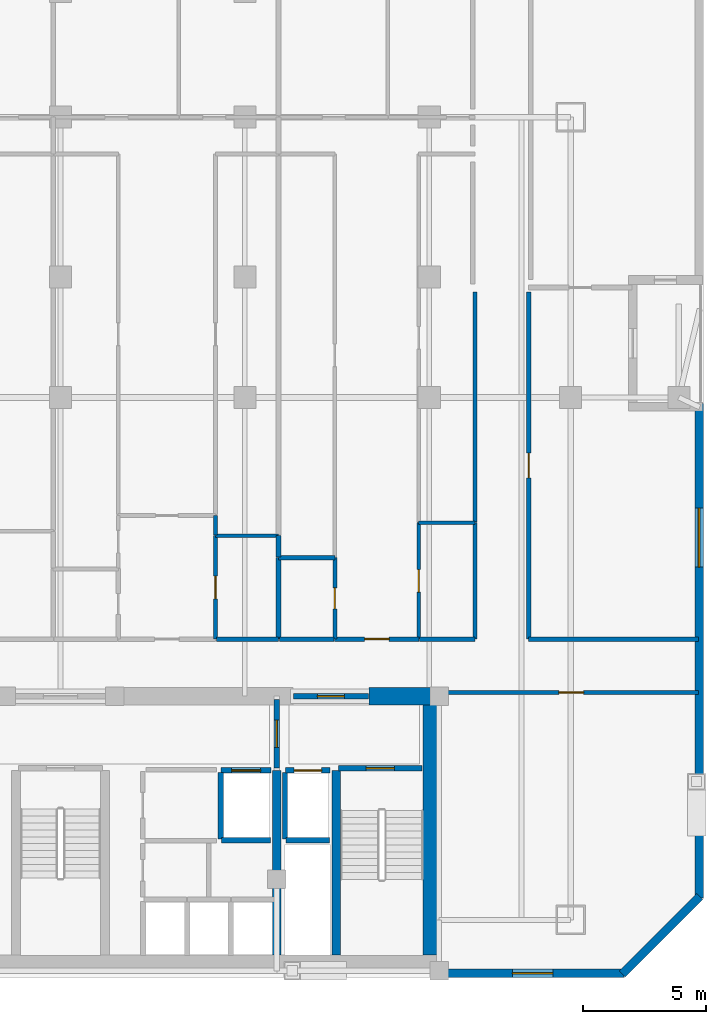
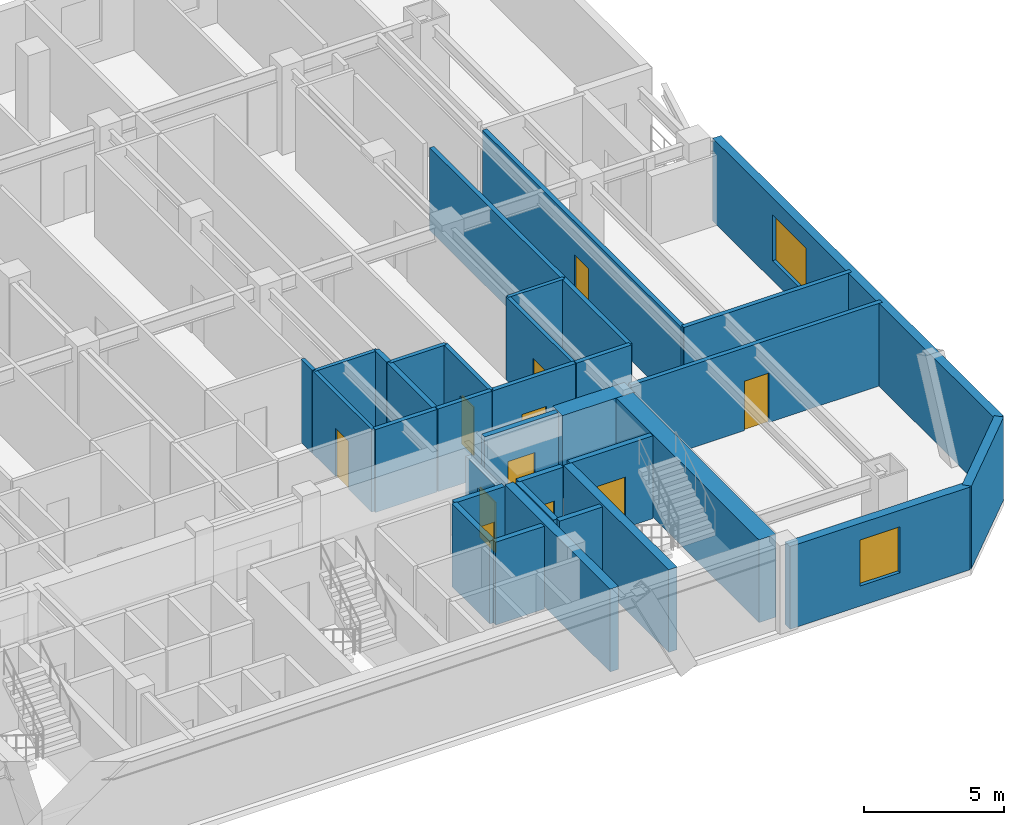
# One storey, part 5 of 9: 34 walls, 11 doors, 2 windows, 13 openings.
"""IFC4 building model written with IfcOpenShell, lengths in metres."""

from ifc_helpers import new_model, si_unit, direction, frame, frame_2d, origin, place, context, subcontext, project, spatial, rectangle, extrude, material, layer, layer_set, type_object, element, fill, save


model = new_model("IFC4")

# Units and contexts
model_context = context("Model", 3, precision=1e-05, world=origin(), true_north=direction((0.0, 1.0)))
body_context = subcontext(model_context, "Body", "Model", "MODEL_VIEW")
ifc_project = project(units=[si_unit("LENGTHUNIT", "METRE"), si_unit("AREAUNIT", "SQUARE_METRE"), si_unit("VOLUMEUNIT", "CUBIC_METRE"), si_unit("PLANEANGLEUNIT", "RADIAN"), si_unit("MASSUNIT", "GRAM", prefix="KILO")], contexts=[model_context])

# Site, building, storey
site_placement = place(None, origin())
site = spatial("IfcSite", under=ifc_project, at=site_placement, CompositionType="ELEMENT")
building_placement = place(site_placement, origin())
building = spatial("IfcBuilding", under=site, at=building_placement, Name="Ventersveld Concourse Tower", CompositionType="ELEMENT")
storey_placement = place(building_placement, frame((0.0, 0.0, 100.300048828125)))
storey = spatial("IfcBuildingStorey", under=building, at=storey_placement, Name="L24", CompositionType="ELEMENT", Elevation=100.300048828125)

# Walls
ifc_material_1 = material(Name="Concrete C60/75", Category="concrete")
ifc_layer_1 = layer(ifc_material_1, 0.35009765625)
ifc_layer_set_1 = layer_set([ifc_layer_1], Name="Concrete C60/75")
wall_type_1 = type_object("IfcWallType", Name="WL-CORE-350L", PredefinedType="SHEAR", material=ifc_layer_set_1)
for number, where, z_axis, x_axis, name in (
    (1, (37.550048828125, 0.919921875, 0.0), (0.0, 0.0, 1.0), (0.0, 1.0, 0.0), "L24 Core Internal Shear Web W-SVL-W"),
    (2, (39.9599609375, 0.919921875, 0.0), (0.0, 0.0, 1.0), (0.0, 1.0, 0.0), "L24 Core Internal Shear Web W-ST2-W"),
):
    element("IfcWall", number, at=place(storey_placement, frame(where, z_axis=z_axis, x_axis=x_axis)), inside=storey, type_object=wall_type_1, Name=name, PredefinedType="SHEAR", context=body_context, shape_type="SweptSolid", body=[
        extrude(rectangle(XDim=7.5, YDim=0.35009765625, at=frame_2d((3.75, 0.0))), origin(), (0.0, 0.0, 1.0), 3.599853515625),
    ])
ifc_layer_2 = layer(ifc_material_1, 0.699951171875)
ifc_layer_set_2 = layer_set([ifc_layer_2], Name="Concrete C60/75")
wall_type_2 = type_object("IfcWallType", Name="WL-CORE-700", PredefinedType="SHEAR", material=ifc_layer_set_2)
wall_1_placement = place(storey_placement, frame((43.85009765625, 0.919921875, 0.0), z_axis=(0.0, 0.0, 1.0), x_axis=(0.0, 1.0, 0.0)))
element("IfcWall", 3, at=wall_1_placement, inside=storey, type_object=wall_type_2, Name="L24 Rear Core East Shear Wall", PredefinedType="SHEAR", context=body_context, shape_type="SweptSolid", body=[
    extrude(rectangle(XDim=10.530029296875, YDim=0.699951171875, at=frame_2d((5.26513671875, 0.0))), origin(), (0.0, 0.0, 1.0), 3.599853515625),
])
wall_2_placement = place(storey_placement, frame((41.300048828125, 11.449951171875, 0.0), z_axis=(0.0, 0.0, 1.0), x_axis=(1.0, 0.0, 0.0)))
element("IfcWall", 4, at=wall_2_placement, inside=storey, type_object=wall_type_2, Name="L24 Rear Core North Shear Wall NE", PredefinedType="SHEAR", context=body_context, shape_type="SweptSolid", body=[
    extrude(rectangle(XDim=2.949951171875, YDim=0.699951171875, at=frame_2d((1.47509765625, 0.0))), origin(), (0.0, 0.0, 1.0), 3.599853515625),
])

# Wall, opening, door
ifc_material_2 = material(Name="Fire-rated autoclaved aerated masonry blockwork", Category="masonry")
ifc_layer_3 = layer(ifc_material_2, 0.179931640625)
ifc_layer_set_3 = layer_set([ifc_layer_3], Name="Fire-rated autoclaved aerated masonry blockwork")
wall_type_3 = type_object("IfcWallType", Name="WL-CORR-180", PredefinedType="PARTITIONING", material=ifc_layer_set_3)
wall_3_placement = place(storey_placement, frame((44.35498046875, 11.60009765625, 0.0), z_axis=(0.0, 0.0, 1.0), x_axis=(1.0, 0.0, 0.0)))
wall_3 = element("IfcWall", 5, at=wall_3_placement, inside=storey, type_object=wall_type_3, Name="L24 Interior Partition SP-L24-SE-OFF-SP-L24-COR", PredefinedType="PARTITIONING", context=body_context, shape_type="SweptSolid", body=[
    extrude(rectangle(XDim=10.3349609375, YDim=0.179931640625, at=frame_2d((5.16748046875, 0.0))), origin(), (0.0, 0.0, 1.0), 3.599853515625),
])
opening_1_placement = place(wall_3_placement, frame((4.66748046875, 0.0, 0.0)))
opening_1 = element("IfcOpeningElement", 6, at=opening_1_placement, cuts=wall_3, Name="Opening FD3", PredefinedType="OPENING", context=body_context, shape_type="SweptSolid", body=[
    extrude(rectangle(XDim=1.0, YDim=2.14990234375, at=frame_2d((0.5, 1.074951171875))), frame((0.0, 0.10009765625, 0.0), z_axis=(0.0, -1.0, 0.0), x_axis=(1.0, 0.0, 0.0)), (0.0, 0.0, 1.0), 0.199951171875),
])
ifc_material_3 = material(Name="Solid-core hardwood veneer timber", Category="wood")
door_type_1 = type_object("IfcDoorType", Name="DR-FLAT-100", OperationType="NOTDEFINED", PredefinedType="DOOR", material=ifc_material_3)
door_1_placement = place(opening_1_placement, origin())
door_1 = element("IfcDoor", 7, at=door_1_placement, inside=storey, type_object=door_type_1, Name="L24 Interior Door SP-L24-SE-OFF to SP-L24-COR (D-L24-1173)", OperationType="SINGLE_SWING_LEFT", OverallHeight=2.14990234375, OverallWidth=1.0, PredefinedType="DOOR", context=body_context, shape_type="SweptSolid", body=[
    extrude(rectangle(XDim=1.0, YDim=2.14990234375, at=frame_2d((0.5, 1.074951171875))), frame((0.0, 0.02490234375, 0.0), z_axis=(0.0, -1.0, 0.0), x_axis=(1.0, 0.0, 0.0)), (0.0, 0.0, 1.0), 0.050048828125),
])
fill(opening_1, door_1)

wall_4_placement = place(storey_placement, frame((47.7900390625, 13.764892578125, 0.0), z_axis=(0.0, 0.0, 1.0), x_axis=(0.0, 1.0, 0.0)))
wall_4 = element("IfcWall", 8, at=wall_4_placement, inside=storey, type_object=wall_type_3, Name="L24 Interior Partition SP-L24-COR-SP-L24-NELNG1", PredefinedType="PARTITIONING", context=body_context, shape_type="SweptSolid", body=[
    extrude(rectangle(XDim=14.130126953125, YDim=0.179931640625, at=frame_2d((7.06494140625, 0.0))), origin(), (0.0, 0.0, 1.0), 3.599853515625),
])
opening_2_placement = place(wall_4_placement, frame((6.56494140625, 0.0, 0.0)))
opening_2 = element("IfcOpeningElement", 9, at=opening_2_placement, cuts=wall_4, Name="Opening FD3", PredefinedType="OPENING", context=body_context, shape_type="SweptSolid", body=[
    extrude(rectangle(XDim=1.0, YDim=2.14990234375, at=frame_2d((0.5, 1.074951171875))), frame((0.0, 0.10009765625, 0.0), z_axis=(0.0, -1.0, 0.0), x_axis=(1.0, 0.0, 0.0)), (0.0, 0.0, 1.0), 0.199951171875),
])
door_2_placement = place(opening_2_placement, origin())
door_2 = element("IfcDoor", 10, at=door_2_placement, inside=storey, type_object=door_type_1, Name="L24 Interior Door SP-L24-COR to SP-L24-NELNG1 (D-L24-1175)", OperationType="SINGLE_SWING_LEFT", OverallHeight=2.14990234375, OverallWidth=1.0, PredefinedType="DOOR", context=body_context, shape_type="SweptSolid", body=[
    extrude(rectangle(XDim=1.0, YDim=2.14990234375, at=frame_2d((0.5, 1.074951171875))), frame((0.0, 0.02490234375, 0.0), z_axis=(0.0, -1.0, 0.0), x_axis=(1.0, 0.0, 0.0)), (0.0, 0.0, 1.0), 0.050048828125),
])
fill(opening_2, door_2)

# Walls
wall_5_placement = place(storey_placement, frame((47.784912109375, 13.77001953125, 0.0), z_axis=(0.0, 0.0, 1.0), x_axis=(1.0, 0.0, 0.0)))
element("IfcWall", 11, at=wall_5_placement, inside=storey, type_object=wall_type_3, Name="L24 Interior Partition SP-L24-COR-SP-L24-NELNG1", PredefinedType="PARTITIONING", context=body_context, shape_type="SweptSolid", body=[
    extrude(rectangle(XDim=6.905029296875, YDim=0.179931640625, at=frame_2d((3.45263671875, 0.0))), origin(), (0.0, 0.0, 1.0), 3.599853515625),
])
wall_6_placement = place(storey_placement, frame((35.08740234375, 13.77001953125, 0.0), z_axis=(0.0, 0.0, 1.0), x_axis=(1.0, 0.0, 0.0)))
element("IfcWall", 12, at=wall_6_placement, inside=storey, type_object=wall_type_3, Name="L24 Interior Partition SP-L24-COR-SP-L24-24N3-KIT", PredefinedType="PARTITIONING", context=body_context, shape_type="SweptSolid", body=[
    extrude(rectangle(XDim=2.538330078125, YDim=0.179931640625, at=frame_2d((1.26904296875, 0.0))), origin(), (0.0, 0.0, 1.0), 3.599853515625),
])

# Wall, opening, door
wall_7_placement = place(storey_placement, frame((39.904296875, 13.77001953125, 0.0), z_axis=(0.0, 0.0, 1.0), x_axis=(1.0, 0.0, 0.0)))
wall_7 = element("IfcWall", 13, at=wall_7_placement, inside=storey, type_object=wall_type_3, Name="L24 Interior Partition SP-L24-COR-SP-L24-24N4-LIV", PredefinedType="PARTITIONING", context=body_context, shape_type="SweptSolid", body=[
    extrude(rectangle(XDim=3.422119140625, YDim=0.179931640625, at=frame_2d((1.7109375, 0.0))), origin(), (0.0, 0.0, 1.0), 3.599853515625),
])
opening_3_placement = place(wall_7_placement, frame((1.211181640625, 0.0, 0.0)))
opening_3 = element("IfcOpeningElement", 14, at=opening_3_placement, cuts=wall_7, Name="Opening FD3", PredefinedType="OPENING", context=body_context, shape_type="SweptSolid", body=[
    extrude(rectangle(XDim=1.0, YDim=2.14990234375, at=frame_2d((0.5, 1.074951171875))), frame((0.0, 0.10009765625, 0.0), z_axis=(0.0, -1.0, 0.0), x_axis=(1.0, 0.0, 0.0)), (0.0, 0.0, 1.0), 0.199951171875),
])
door_3_placement = place(opening_3_placement, origin())
door_3 = element("IfcDoor", 15, at=door_3_placement, inside=storey, type_object=door_type_1, Name="L24 Interior Door SP-L24-COR to SP-L24-24N4-LIV (FD-L24-1179)", OperationType="SINGLE_SWING_LEFT", OverallHeight=2.14990234375, OverallWidth=1.0, PredefinedType="DOOR", context=body_context, shape_type="SweptSolid", body=[
    extrude(rectangle(XDim=1.0, YDim=2.14990234375, at=frame_2d((0.5, 1.074951171875))), frame((0.0, 0.02490234375, 0.0), z_axis=(0.0, -1.0, 0.0), x_axis=(1.0, 0.0, 0.0)), (0.0, 0.0, 1.0), 0.050048828125),
])
fill(opening_3, door_3)

# Walls
wall_8_placement = place(storey_placement, frame((37.65576171875, 13.77001953125, 0.0), z_axis=(0.0, 0.0, 1.0), x_axis=(1.0, 0.0, 0.0)))
element("IfcWall", 16, at=wall_8_placement, inside=storey, type_object=wall_type_3, Name="L24 Interior Partition SP-L24-COR-SP-L24-24N4-BATH", PredefinedType="PARTITIONING", context=body_context, shape_type="SweptSolid", body=[
    extrude(rectangle(XDim=2.218505859375, YDim=0.179931640625, at=frame_2d((1.109375, 0.0))), origin(), (0.0, 0.0, 1.0), 3.599853515625),
])
wall_9_placement = place(storey_placement, frame((45.610107421875, 13.764892578125, 0.0), z_axis=(0.0, 0.0, 1.0), x_axis=(0.0, 1.0, 0.0)))
element("IfcWall", 17, at=wall_9_placement, inside=storey, type_object=wall_type_3, Name="L24 Interior Partition SP-L24-COR-SP-L24-24N4-KIT", PredefinedType="PARTITIONING", context=body_context, shape_type="SweptSolid", body=[
    extrude(rectangle(XDim=4.7431640625, YDim=0.179931640625, at=frame_2d((2.37158203125, 0.0))), origin(), (0.0, 0.0, 1.0), 3.599853515625),
])
wall_10_placement = place(storey_placement, frame((43.3564453125, 13.77001953125, 0.0), z_axis=(0.0, 0.0, 1.0), x_axis=(1.0, 0.0, 0.0)))
element("IfcWall", 18, at=wall_10_placement, inside=storey, type_object=wall_type_3, Name="L24 Interior Partition SP-L24-COR-SP-L24-24N4-KIT", PredefinedType="PARTITIONING", context=body_context, shape_type="SweptSolid", body=[
    extrude(rectangle(XDim=2.258544921875, YDim=0.179931640625, at=frame_2d((1.12939453125, 0.0))), origin(), (0.0, 0.0, 1.0), 3.599853515625),
])
wall_11_placement = place(storey_placement, frame((45.610107421875, 18.5380859375, 0.0), z_axis=(0.0, 0.0, 1.0), x_axis=(0.0, 1.0, 0.0)))
element("IfcWall", 19, at=wall_11_placement, inside=storey, type_object=wall_type_3, Name="L24 Interior Partition SP-L24-COR-SP-L24-24N4-DENR", PredefinedType="PARTITIONING", context=body_context, shape_type="SweptSolid", body=[
    extrude(rectangle(XDim=9.35693359375, YDim=0.179931640625, at=frame_2d((4.678466796875, 0.0))), origin(), (0.0, 0.0, 1.0), 3.599853515625),
])
ifc_layer_4 = layer(ifc_material_2, 0.199951171875)
ifc_layer_set_4 = layer_set([ifc_layer_4], Name="Fire-rated autoclaved aerated masonry blockwork")
wall_type_4 = type_object("IfcWallType", Name="WL-DEMISE-200", PredefinedType="PARTITIONING", material=ifc_layer_set_4)
wall_12_placement = place(storey_placement, frame((37.620849609375, 13.764892578125, 0.0), z_axis=(0.0, 0.0, 1.0), x_axis=(0.0, 1.0, 0.0)))
element("IfcWall", 20, at=wall_12_placement, inside=storey, type_object=wall_type_4, Name="L24 Interior Partition SP-L24-24N3-KIT-SP-L24-24N4-BATH", PredefinedType="PARTITIONING", context=body_context, shape_type="SweptSolid", body=[
    extrude(rectangle(XDim=3.3203125, YDim=0.199951171875, at=frame_2d((1.66015625, 0.0))), origin(), (0.0, 0.0, 1.0), 3.599853515625),
])
wall_13_placement = place(storey_placement, frame((37.620849609375, 17.115234375, 0.0), z_axis=(0.0, 0.0, 1.0), x_axis=(0.0, 1.0, 0.0)))
element("IfcWall", 21, at=wall_13_placement, inside=storey, type_object=wall_type_4, Name="L24 Interior Partition SP-L24-24N3-KIT-SP-L24-24N4-DENL", PredefinedType="PARTITIONING", context=body_context, shape_type="SweptSolid", body=[
    extrude(rectangle(XDim=0.859130859375, YDim=0.199951171875, at=frame_2d((0.4296875, 0.0))), origin(), (0.0, 0.0, 1.0), 3.599853515625),
])
ifc_layer_5 = layer(ifc_material_2, 0.219970703125)
ifc_layer_set_5 = layer_set([ifc_layer_5], Name="Fire-rated autoclaved aerated masonry blockwork")
wall_type_5 = type_object("IfcWallType", Name="WL-HOIST-220", PredefinedType="SOLIDWALL", material=ifc_layer_set_5)
wall_14_placement = place(storey_placement, frame((37.919921875, 5.590087890625, 0.0), z_axis=(0.0, 0.0, 1.0), x_axis=(1.0, 0.0, 0.0)))
element("IfcWall", 22, at=wall_14_placement, inside=storey, type_object=wall_type_5, Name="L24 Lift Hoistway Back Wall FFL-02", PredefinedType="SOLIDWALL", context=body_context, shape_type="SweptSolid", body=[
    extrude(rectangle(XDim=1.780029296875, YDim=0.219970703125, at=frame_2d((0.89013671875, 0.0))), origin(), (0.0, 0.0, 1.0), 3.599853515625),
])
wall_15_placement = place(storey_placement, frame((37.8798828125, 5.64990234375, 0.0), z_axis=(0.0, 0.0, 1.0), x_axis=(0.0, 1.0, 0.0)))
element("IfcWall", 23, at=wall_15_placement, inside=storey, type_object=wall_type_5, Name="L24 Lift Hoistway Side Wall FFL-02W", PredefinedType="SOLIDWALL", context=body_context, shape_type="SweptSolid", body=[
    extrude(rectangle(XDim=2.7001953125, YDim=0.219970703125, at=frame_2d((1.35009765625, 0.0))), origin(), (0.0, 0.0, 1.0), 3.599853515625),
])

# Wall, opening, door
wall_16_placement = place(storey_placement, frame((37.89990234375, 8.429931640625, 0.0), z_axis=(0.0, 0.0, 1.0), x_axis=(1.0, 0.0, 0.0)))
wall_16 = element("IfcWall", 24, at=wall_16_placement, inside=storey, type_object=wall_type_5, Name="L24 Lift Hoistway Front Wall FFL-02", PredefinedType="SOLIDWALL", context=body_context, shape_type="SweptSolid", body=[
    extrude(rectangle(XDim=1.820068359375, YDim=0.219970703125, at=frame_2d((0.91015625, 0.0))), origin(), (0.0, 0.0, 1.0), 3.599853515625),
])
opening_4_placement = place(wall_16_placement, frame((0.35009765625, 0.0, 0.0)))
opening_4 = element("IfcOpeningElement", 25, at=opening_4_placement, cuts=wall_16, Name="Opening LD1", PredefinedType="OPENING", context=body_context, shape_type="SweptSolid", body=[
    extrude(rectangle(XDim=1.1201171875, YDim=2.25, at=frame_2d((0.56005859375, 1.125))), frame((0.0, 0.1201171875, 0.0), z_axis=(0.0, -1.0, 0.0), x_axis=(1.0, 0.0, 0.0)), (0.0, 0.0, 1.0), 0.239990234375),
])
ifc_material_4 = material(Name="Brushed stainless steel 316", Category="steel")
door_type_2 = type_object("IfcDoorType", Name="LD-FF-112", OperationType="SLIDING_TO_LEFT", PredefinedType="DOOR", material=ifc_material_4)
door_4_placement = place(opening_4_placement, origin())
door_4 = element("IfcDoor", 26, at=door_4_placement, inside=storey, type_object=door_type_2, Name="L24 Lift landing door FFL-02 (LD-L24-FFL-02)", OperationType="SLIDING_TO_RIGHT", OverallHeight=2.25, OverallWidth=1.1201171875, PredefinedType="DOOR", context=body_context, shape_type="SweptSolid", body=[
    extrude(rectangle(XDim=1.1201171875, YDim=2.25, at=frame_2d((0.56005859375, 1.125))), frame((0.0, 0.02490234375, 0.0), z_axis=(0.0, -1.0, 0.0), x_axis=(1.0, 0.0, 0.0)), (0.0, 0.0, 1.0), 0.050048828125),
])
fill(opening_4, door_4)

# Walls
wall_17_placement = place(storey_placement, frame((35.300048828125, 5.590087890625, 0.0), z_axis=(0.0, 0.0, 1.0), x_axis=(1.0, 0.0, 0.0)))
element("IfcWall", 27, at=wall_17_placement, inside=storey, type_object=wall_type_5, Name="L24 Lift Hoistway Back Wall SVL-01", PredefinedType="SOLIDWALL", context=body_context, shape_type="SweptSolid", body=[
    extrude(rectangle(XDim=2.0, YDim=0.219970703125, at=frame_2d((1.0, 0.0))), origin(), (0.0, 0.0, 1.0), 3.599853515625),
])
wall_18_placement = place(storey_placement, frame((35.260009765625, 5.64990234375, 0.0), z_axis=(0.0, 0.0, 1.0), x_axis=(0.0, 1.0, 0.0)))
element("IfcWall", 28, at=wall_18_placement, inside=storey, type_object=wall_type_5, Name="L24 Lift Hoistway Side Wall SVL-01W", PredefinedType="SOLIDWALL", context=body_context, shape_type="SweptSolid", body=[
    extrude(rectangle(XDim=2.7001953125, YDim=0.219970703125, at=frame_2d((1.35009765625, 0.0))), origin(), (0.0, 0.0, 1.0), 3.599853515625),
])

# Wall, opening, door
wall_19_placement = place(storey_placement, frame((35.280029296875, 8.429931640625, 0.0), z_axis=(0.0, 0.0, 1.0), x_axis=(1.0, 0.0, 0.0)))
wall_19 = element("IfcWall", 29, at=wall_19_placement, inside=storey, type_object=wall_type_5, Name="L24 Lift Hoistway Front Wall SVL-01", PredefinedType="SOLIDWALL", context=body_context, shape_type="SweptSolid", body=[
    extrude(rectangle(XDim=2.0400390625, YDim=0.219970703125, at=frame_2d((1.02001953125, 0.0))), origin(), (0.0, 0.0, 1.0), 3.599853515625),
])
opening_5_placement = place(wall_19_placement, frame((0.429931640625, 0.0, 0.0)))
opening_5 = element("IfcOpeningElement", 30, at=opening_5_placement, cuts=wall_19, Name="Opening LD2", PredefinedType="OPENING", context=body_context, shape_type="SweptSolid", body=[
    extrude(rectangle(XDim=1.179931640625, YDim=2.199951171875, at=frame_2d((0.58984375, 1.10009765625))), frame((0.0, 0.1201171875, 0.0), z_axis=(0.0, -1.0, 0.0), x_axis=(1.0, 0.0, 0.0)), (0.0, 0.0, 1.0), 0.239990234375),
])
door_type_3 = type_object("IfcDoorType", Name="LD-PAX-118", OperationType="SLIDING_TO_LEFT", PredefinedType="DOOR", material=ifc_material_4)
door_5_placement = place(opening_5_placement, origin())
door_5 = element("IfcDoor", 31, at=door_5_placement, inside=storey, type_object=door_type_3, Name="L24 Lift landing door SVL-01 (LD-L24-SVL-01)", OperationType="SLIDING_TO_LEFT", OverallHeight=2.199951171875, OverallWidth=1.179931640625, PredefinedType="DOOR", context=body_context, shape_type="SweptSolid", body=[
    extrude(rectangle(XDim=1.179931640625, YDim=2.199951171875, at=frame_2d((0.58984375, 1.10009765625))), frame((0.0, 0.02490234375, 0.0), z_axis=(0.0, -1.0, 0.0), x_axis=(1.0, 0.0, 0.0)), (0.0, 0.0, 1.0), 0.050048828125),
])
fill(opening_5, door_5)

wall_20_placement = place(storey_placement, frame((40.06005859375, 8.52001953125, 0.0), z_axis=(0.0, 0.0, 1.0), x_axis=(1.0, 0.0, 0.0)))
wall_20 = element("IfcWall", 32, at=wall_20_placement, inside=storey, type_object=wall_type_5, Name="L24 Escape Stair ST02 Fire Wall", PredefinedType="SOLIDWALL", context=body_context, shape_type="SweptSolid", body=[
    extrude(rectangle(XDim=3.39990234375, YDim=0.219970703125, at=frame_2d((1.699951171875, 0.0))), origin(), (0.0, 0.0, 1.0), 3.599853515625),
])
opening_6_placement = place(wall_20_placement, frame((1.125, 0.0, 0.0)))
opening_6 = element("IfcOpeningElement", 33, at=opening_6_placement, cuts=wall_20, Name="Opening FD1", PredefinedType="OPENING", context=body_context, shape_type="SweptSolid", body=[
    extrude(rectangle(XDim=1.14990234375, YDim=2.199951171875, at=frame_2d((0.574951171875, 1.10009765625))), frame((0.0, 0.1201171875, 0.0), z_axis=(0.0, -1.0, 0.0), x_axis=(1.0, 0.0, 0.0)), (0.0, 0.0, 1.0), 0.239990234375),
])
ifc_material_5 = material(Name="Galvanised painted steel", Category="steel")
door_type_4 = type_object("IfcDoorType", Name="DR-STAIR-115", OperationType="NOTDEFINED", PredefinedType="DOOR", material=ifc_material_5)
door_6_placement = place(opening_6_placement, origin())
door_6 = element("IfcDoor", 34, at=door_6_placement, inside=storey, type_object=door_type_4, Name="L24 Escape Stair Door ST02 (SD-L24-1163)", OperationType="SINGLE_SWING_RIGHT", OverallHeight=2.199951171875, OverallWidth=1.14990234375, PredefinedType="DOOR", context=body_context, shape_type="SweptSolid", body=[
    extrude(rectangle(XDim=1.14990234375, YDim=2.199951171875, at=frame_2d((0.574951171875, 1.10009765625))), frame((0.0, 0.02490234375, 0.0), z_axis=(0.0, -1.0, 0.0), x_axis=(1.0, 0.0, 0.0)), (0.0, 0.0, 1.0), 0.050048828125),
])
fill(opening_6, door_6)

wall_21_placement = place(storey_placement, frame((37.550048828125, 8.52001953125, 0.0), z_axis=(0.0, 0.0, 1.0), x_axis=(0.0, 1.0, 0.0)))
wall_21 = element("IfcWall", 35, at=wall_21_placement, inside=storey, type_object=wall_type_5, Name="L24 Firefighting Lobby Smoke-Stop Wall FFLE-SEP", PredefinedType="SOLIDWALL", context=body_context, shape_type="SweptSolid", body=[
    extrude(rectangle(XDim=2.800048828125, YDim=0.219970703125, at=frame_2d((1.39990234375, 0.0))), origin(), (0.0, 0.0, 1.0), 3.055419921875),
])
opening_7_placement = place(wall_21_placement, frame((0.85009765625, 0.0, 0.0)))
opening_7 = element("IfcOpeningElement", 36, at=opening_7_placement, cuts=wall_21, Name="Opening FD2", PredefinedType="OPENING", context=body_context, shape_type="SweptSolid", body=[
    extrude(rectangle(XDim=1.10009765625, YDim=2.199951171875, at=frame_2d((0.550048828125, 1.10009765625))), frame((0.0, 0.1201171875, 0.0), z_axis=(0.0, -1.0, 0.0), x_axis=(1.0, 0.0, 0.0)), (0.0, 0.0, 1.0), 0.239990234375),
])
door_type_5 = type_object("IfcDoorType", Name="DR-FFL-110", OperationType="NOTDEFINED", PredefinedType="DOOR", material=ifc_material_5)
door_7_placement = place(opening_7_placement, origin())
door_7 = element("IfcDoor", 37, at=door_7_placement, inside=storey, type_object=door_type_5, Name="L24 Firefighting Lobby Door FFLE-SEP (FD-L24-1166)", OperationType="SINGLE_SWING_RIGHT", OverallHeight=2.199951171875, OverallWidth=1.10009765625, PredefinedType="DOOR", context=body_context, shape_type="SweptSolid", body=[
    extrude(rectangle(XDim=1.10009765625, YDim=2.199951171875, at=frame_2d((0.550048828125, 1.10009765625))), frame((0.0, 0.02490234375, 0.0), z_axis=(0.0, -1.0, 0.0), x_axis=(1.0, 0.0, 0.0)), (0.0, 0.0, 1.0), 0.050048828125),
])
fill(opening_7, door_7)

wall_22_placement = place(storey_placement, frame((38.22998046875, 11.449951171875, 0.0), z_axis=(0.0, 0.0, 1.0), x_axis=(1.0, 0.0, 0.0)))
wall_22 = element("IfcWall", 38, at=wall_22_placement, inside=storey, type_object=wall_type_5, Name="L24 Core North Fire Portal FFLE-OUT", PredefinedType="SOLIDWALL", context=body_context, shape_type="SweptSolid", body=[
    extrude(rectangle(XDim=3.0400390625, YDim=0.219970703125, at=frame_2d((1.52001953125, 0.0))), origin(), (0.0, 0.0, 1.0), 3.599853515625),
])
opening_8_placement = place(wall_22_placement, frame((0.969970703125, 0.0, 0.0)))
opening_8 = element("IfcOpeningElement", 39, at=opening_8_placement, cuts=wall_22, Name="Opening FD2", PredefinedType="OPENING", context=body_context, shape_type="SweptSolid", body=[
    extrude(rectangle(XDim=1.10009765625, YDim=2.199951171875, at=frame_2d((0.550048828125, 1.10009765625))), frame((0.0, 0.1201171875, 0.0), z_axis=(0.0, -1.0, 0.0), x_axis=(1.0, 0.0, 0.0)), (0.0, 0.0, 1.0), 0.239990234375),
])
door_8_placement = place(opening_8_placement, origin())
door_8 = element("IfcDoor", 40, at=door_8_placement, inside=storey, type_object=door_type_5, Name="L24 Core Lobby Fire Door FFLE-OUT (FD-L24-1169)", OperationType="SINGLE_SWING_LEFT", OverallHeight=2.199951171875, OverallWidth=1.10009765625, PredefinedType="DOOR", context=body_context, shape_type="SweptSolid", body=[
    extrude(rectangle(XDim=1.10009765625, YDim=2.199951171875, at=frame_2d((0.550048828125, 1.10009765625))), frame((0.0, 0.02490234375, 0.0), z_axis=(0.0, -1.0, 0.0), x_axis=(1.0, 0.0, 0.0)), (0.0, 0.0, 1.0), 0.050048828125),
])
fill(opening_8, door_8)

ifc_material_6 = material(Name="Autoclaved aerated masonry blockwork", Category="masonry")
ifc_layer_6 = layer(ifc_material_6, 0.14990234375)
ifc_layer_set_6 = layer_set([ifc_layer_6], Name="Autoclaved aerated masonry blockwork")
wall_type_6 = type_object("IfcWallType", Name="WL-INT-150", PredefinedType="PARTITIONING", material=ifc_layer_set_6)
wall_23_placement = place(storey_placement, frame((35.05224609375, 13.764892578125, 0.0), z_axis=(0.0, 0.0, 1.0), x_axis=(0.0, 1.0, 0.0)))
wall_23 = element("IfcWall", 41, at=wall_23_placement, inside=storey, type_object=wall_type_6, Name="L24 Interior Partition SP-L24-24N3-FOY-SP-L24-24N3-KIT", PredefinedType="PARTITIONING", context=body_context, shape_type="SweptSolid", body=[
    extrude(rectangle(XDim=4.20947265625, YDim=0.14990234375, at=frame_2d((2.104736328125, 0.0))), origin(), (0.0, 0.0, 1.0), 3.599853515625),
])
opening_9_placement = place(wall_23_placement, frame((1.64453125, 0.0, 0.0)))
opening_9 = element("IfcOpeningElement", 42, at=opening_9_placement, cuts=wall_23, Name="Opening ID1", PredefinedType="OPENING", context=body_context, shape_type="SweptSolid", body=[
    extrude(rectangle(XDim=0.919921875, YDim=2.10009765625, at=frame_2d((0.4599609375, 1.050048828125))), frame((0.0, 0.0849609375, 0.0), z_axis=(0.0, -1.0, 0.0), x_axis=(1.0, 0.0, 0.0)), (0.0, 0.0, 1.0), 0.169921875),
])
door_type_6 = type_object("IfcDoorType", Name="DR-ROOM-092", OperationType="NOTDEFINED", PredefinedType="DOOR", material=ifc_material_3)
door_9_placement = place(opening_9_placement, origin())
door_9 = element("IfcDoor", 43, at=door_9_placement, inside=storey, type_object=door_type_6, Name="L24 Interior Door SP-L24-24N3-FOY to SP-L24-24N3-KIT (D-L24-1198)", OperationType="SINGLE_SWING_RIGHT", OverallHeight=2.10009765625, OverallWidth=0.919921875, PredefinedType="DOOR", context=body_context, shape_type="SweptSolid", body=[
    extrude(rectangle(XDim=0.919921875, YDim=2.10009765625, at=frame_2d((0.4599609375, 1.050048828125))), frame((0.0, 0.02490234375, 0.0), z_axis=(0.0, -1.0, 0.0), x_axis=(1.0, 0.0, 0.0)), (0.0, 0.0, 1.0), 0.050048828125),
])
fill(opening_9, door_9)

# Walls
wall_24_placement = place(storey_placement, frame((35.05224609375, 18.00439453125, 0.0), z_axis=(0.0, 0.0, 1.0), x_axis=(0.0, 1.0, 0.0)))
element("IfcWall", 44, at=wall_24_placement, inside=storey, type_object=wall_type_6, Name="L24 Interior Partition SP-L24-24N3-FOY-SP-L24-24N3-DENR", PredefinedType="PARTITIONING", context=body_context, shape_type="SweptSolid", body=[
    extrude(rectangle(XDim=0.801025390625, YDim=0.14990234375, at=frame_2d((0.400390625, 0.0))), origin(), (0.0, 0.0, 1.0), 3.599853515625),
])
wall_25_placement = place(storey_placement, frame((35.04736328125, 17.96923828125, 0.0), z_axis=(0.0, 0.0, 1.0), x_axis=(1.0, 0.0, 0.0)))
element("IfcWall", 45, at=wall_25_placement, inside=storey, type_object=wall_type_6, Name="L24 Interior Partition SP-L24-24N3-KIT-SP-L24-24N3-DENR", PredefinedType="PARTITIONING", context=body_context, shape_type="SweptSolid", body=[
    extrude(rectangle(XDim=2.578369140625, YDim=0.14990234375, at=frame_2d((1.2890625, 0.0))), origin(), (0.0, 0.0, 1.0), 3.599853515625),
])

# Wall, opening, door
wall_26_placement = place(storey_placement, frame((43.321533203125, 13.764892578125, 0.0), z_axis=(0.0, 0.0, 1.0), x_axis=(0.0, 1.0, 0.0)))
wall_26 = element("IfcWall", 46, at=wall_26_placement, inside=storey, type_object=wall_type_6, Name="L24 Interior Partition SP-L24-24N4-LIV-SP-L24-24N4-KIT", PredefinedType="PARTITIONING", context=body_context, shape_type="SweptSolid", body=[
    extrude(rectangle(XDim=4.7431640625, YDim=0.14990234375, at=frame_2d((2.37158203125, 0.0))), origin(), (0.0, 0.0, 1.0), 3.599853515625),
])
opening_10_placement = place(wall_26_placement, frame((1.91162109375, 0.0, 0.0)))
opening_10 = element("IfcOpeningElement", 47, at=opening_10_placement, cuts=wall_26, Name="Opening ID1", PredefinedType="OPENING", context=body_context, shape_type="SweptSolid", body=[
    extrude(rectangle(XDim=0.919921875, YDim=2.10009765625, at=frame_2d((0.4599609375, 1.050048828125))), frame((0.0, 0.0849609375, 0.0), z_axis=(0.0, -1.0, 0.0), x_axis=(1.0, 0.0, 0.0)), (0.0, 0.0, 1.0), 0.169921875),
])
door_10_placement = place(opening_10_placement, origin())
door_10 = element("IfcDoor", 48, at=door_10_placement, inside=storey, type_object=door_type_6, Name="L24 Interior Door SP-L24-24N4-LIV to SP-L24-24N4-KIT (D-L24-1205)", OperationType="SINGLE_SWING_LEFT", OverallHeight=2.10009765625, OverallWidth=0.919921875, PredefinedType="DOOR", context=body_context, shape_type="SweptSolid", body=[
    extrude(rectangle(XDim=0.919921875, YDim=2.10009765625, at=frame_2d((0.4599609375, 1.050048828125))), frame((0.0, 0.02490234375, 0.0), z_axis=(0.0, -1.0, 0.0), x_axis=(1.0, 0.0, 0.0)), (0.0, 0.0, 1.0), 0.050048828125),
])
fill(opening_10, door_10)

# Wall
wall_27_placement = place(storey_placement, frame((43.31640625, 18.5029296875, 0.0), z_axis=(0.0, 0.0, 1.0), x_axis=(1.0, 0.0, 0.0)))
element("IfcWall", 49, at=wall_27_placement, inside=storey, type_object=wall_type_6, Name="L24 Interior Partition SP-L24-24N4-KIT-SP-L24-24N4-DENR", PredefinedType="PARTITIONING", context=body_context, shape_type="SweptSolid", body=[
    extrude(rectangle(XDim=2.298583984375, YDim=0.14990234375, at=frame_2d((1.1494140625, 0.0))), origin(), (0.0, 0.0, 1.0), 3.599853515625),
])

# Wall, opening, window
ifc_material_7 = material(Name="Precast concrete C45/55", Category="concrete")
ifc_layer_7 = layer(ifc_material_7, 0.35009765625)
ifc_layer_set_7 = layer_set([ifc_layer_7], Name="Precast concrete C45/55")
wall_type_7 = type_object("IfcWallType", Name="WL-PREC-350", PredefinedType="SOLIDWALL", material=ifc_layer_set_7)
wall_28_placement = place(storey_placement, frame((44.25, 0.179931640625, 0.0), z_axis=(0.0, 0.0, 1.0), x_axis=(1.0, 0.0, 0.0)))
wall_28 = element("IfcWall", 50, at=wall_28_placement, inside=storey, type_object=wall_type_7, Name="L24 South-East Flank Precast Wall", PredefinedType="SOLIDWALL", context=body_context, shape_type="SweptSolid", body=[
    extrude(rectangle(XDim=7.409912109375, YDim=0.35009765625, at=frame_2d((3.705078125, 0.0))), origin(), (0.0, 0.0, 1.0), 3.599853515625),
])
opening_11_placement = place(wall_28_placement, frame((2.8798828125, 0.0, 0.8798828125)))
opening_11 = element("IfcOpeningElement", 51, at=opening_11_placement, cuts=wall_28, Name="Opening W6", PredefinedType="OPENING", context=body_context, shape_type="SweptSolid", body=[
    extrude(rectangle(XDim=1.64990234375, YDim=2.0, at=frame_2d((0.824951171875, 1.0))), frame((0.0, 0.18505859375, 0.0), z_axis=(0.0, -1.0, 0.0), x_axis=(1.0, 0.0, 0.0)), (0.0, 0.0, 1.0), 0.3701171875),
])
ifc_material_8 = material(Name="Tempered acoustic Low-E IGU", Category="glass")
window_type_1 = type_object("IfcWindowType", Name="WIN-165x200", PartitioningType="SINGLE_PANEL", PredefinedType="WINDOW", material=ifc_material_8)
window_1_placement = place(opening_11_placement, origin())
window_1 = element("IfcWindow", 52, at=window_1_placement, inside=storey, type_object=window_type_1, Name="L24 Punched Low-E Window W-0274", OverallHeight=2.0, OverallWidth=1.64990234375, PartitioningType="SINGLE_PANEL", PredefinedType="WINDOW", context=body_context, shape_type="SweptSolid", body=[
    extrude(rectangle(XDim=1.64990234375, YDim=2.0, at=frame_2d((0.824951171875, 1.0))), frame((0.0, 0.030029296875, 0.0), z_axis=(0.0, -1.0, 0.0), x_axis=(1.0, 0.0, 0.0)), (0.0, 0.0, 1.0), 0.06005859375),
])
fill(opening_11, window_1)

# Wall
wall_29_placement = place(storey_placement, frame((51.6044921875, 0.152099609375, 0.0), z_axis=(0.0, 0.0, 1.0), x_axis=(0.707134240044, 0.707079321262, 0.0)))
element("IfcWall", 53, at=wall_29_placement, inside=storey, type_object=wall_type_7, Name="L24 Highveld Precast Facade Wall E02", PredefinedType="SOLIDWALL", context=body_context, shape_type="SweptSolid", body=[
    extrude(rectangle(XDim=4.445556640625, YDim=0.35009765625, at=frame_2d((2.22265625, 0.0))), origin(), (0.0, 0.0, 1.0), 3.599853515625),
])

# Wall, opening, window
wall_30_placement = place(storey_placement, frame((54.72509765625, 3.239990234375, 0.0), z_axis=(0.0, 0.0, 1.0), x_axis=(0.0, 1.0, 0.0)))
wall_30 = element("IfcWall", 54, at=wall_30_placement, inside=storey, type_object=wall_type_7, Name="L24 Highveld Precast Facade Wall E03", PredefinedType="SOLIDWALL", context=body_context, shape_type="SweptSolid", body=[
    extrude(rectangle(XDim=20.1201171875, YDim=0.35009765625, at=frame_2d((10.06005859375, 0.0))), origin(), (0.0, 0.0, 1.0), 3.599853515625),
])
opening_12_placement = place(wall_30_placement, frame((13.45751953125, 0.0, 0.85009765625)))
opening_12 = element("IfcOpeningElement", 55, at=opening_12_placement, cuts=wall_30, Name="Opening W5", PredefinedType="OPENING", context=body_context, shape_type="SweptSolid", body=[
    extrude(rectangle(XDim=2.39990234375, YDim=2.0, at=frame_2d((1.199951171875, 1.0))), frame((0.0, 0.18505859375, 0.0), z_axis=(0.0, -1.0, 0.0), x_axis=(1.0, 0.0, 0.0)), (0.0, 0.0, 1.0), 0.3701171875),
])
window_type_2 = type_object("IfcWindowType", Name="WIN-240x210", PartitioningType="SINGLE_PANEL", PredefinedType="WINDOW", material=ifc_material_8)
window_2_placement = place(opening_12_placement, origin())
window_2 = element("IfcWindow", 56, at=window_2_placement, inside=storey, type_object=window_type_2, Name="L24 Punched Low-E Window W-0277", OverallHeight=2.0, OverallWidth=2.39990234375, PartitioningType="SINGLE_PANEL", PredefinedType="WINDOW", context=body_context, shape_type="SweptSolid", body=[
    extrude(rectangle(XDim=2.39990234375, YDim=2.0, at=frame_2d((1.199951171875, 1.0))), frame((0.0, 0.030029296875, 0.0), z_axis=(0.0, -1.0, 0.0), x_axis=(1.0, 0.0, 0.0)), (0.0, 0.0, 1.0), 0.06005859375),
])
fill(opening_12, window_2)

# Wall, opening, door
ifc_layer_8 = layer(ifc_material_6, 0.1650390625)
ifc_layer_set_8 = layer_set([ifc_layer_8], Name="Autoclaved aerated masonry blockwork")
wall_type_8 = type_object("IfcWallType", Name="WL-WET-165", PredefinedType="PLUMBINGWALL", material=ifc_layer_set_8)
wall_31_placement = place(storey_placement, frame((39.9091796875, 13.764892578125, 0.0), z_axis=(0.0, 0.0, 1.0), x_axis=(0.0, 1.0, 0.0)))
wall_31 = element("IfcWall", 57, at=wall_31_placement, inside=storey, type_object=wall_type_8, Name="L24 Interior Partition SP-L24-24N4-LIV-SP-L24-24N4-BATH", PredefinedType="PLUMBINGWALL", context=body_context, shape_type="SweptSolid", body=[
    extrude(rectangle(XDim=3.3203125, YDim=0.1650390625, at=frame_2d((1.66015625, 0.0))), origin(), (0.0, 0.0, 1.0), 3.599853515625),
])
opening_13_placement = place(wall_31_placement, frame((1.235107421875, 0.0, 0.0)))
opening_13 = element("IfcOpeningElement", 58, at=opening_13_placement, cuts=wall_31, Name="Opening ID2", PredefinedType="OPENING", context=body_context, shape_type="SweptSolid", body=[
    extrude(rectangle(XDim=0.85009765625, YDim=2.10009765625, at=frame_2d((0.425048828125, 1.050048828125))), frame((0.0, 0.092529296875, 0.0), z_axis=(0.0, -1.0, 0.0), x_axis=(1.0, 0.0, 0.0)), (0.0, 0.0, 1.0), 0.18505859375),
])
door_type_7 = type_object("IfcDoorType", Name="DR-BATH-085", OperationType="NOTDEFINED", PredefinedType="DOOR", material=ifc_material_3)
door_11_placement = place(opening_13_placement, origin())
door_11 = element("IfcDoor", 59, at=door_11_placement, inside=storey, type_object=door_type_7, Name="L24 Interior Door SP-L24-24N4-LIV to SP-L24-24N4-BATH (D-L24-1203)", OperationType="SINGLE_SWING_LEFT", OverallHeight=2.10009765625, OverallWidth=0.85009765625, PredefinedType="DOOR", context=body_context, shape_type="SweptSolid", body=[
    extrude(rectangle(XDim=0.85009765625, YDim=2.10009765625, at=frame_2d((0.425048828125, 1.050048828125))), frame((0.0, 0.02490234375, 0.0), z_axis=(0.0, -1.0, 0.0), x_axis=(1.0, 0.0, 0.0)), (0.0, 0.0, 1.0), 0.050048828125),
])
fill(opening_13, door_11)

# Wall
wall_32_placement = place(storey_placement, frame((37.61572265625, 17.080078125, 0.0), z_axis=(0.0, 0.0, 1.0), x_axis=(1.0, 0.0, 0.0)))
element("IfcWall", 60, at=wall_32_placement, inside=storey, type_object=wall_type_8, Name="L24 Interior Partition SP-L24-24N4-BATH-SP-L24-24N4-DENL", PredefinedType="PLUMBINGWALL", context=body_context, shape_type="SweptSolid", body=[
    extrude(rectangle(XDim=2.298583984375, YDim=0.1650390625, at=frame_2d((1.1494140625, 0.0))), origin(), (0.0, 0.0, 1.0), 3.599853515625),
])

save(model, "model.ifc")
